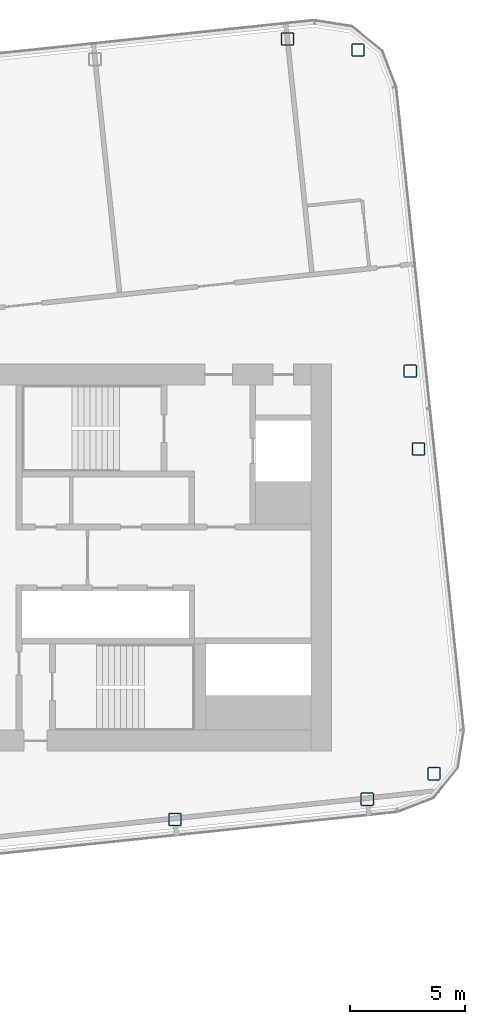
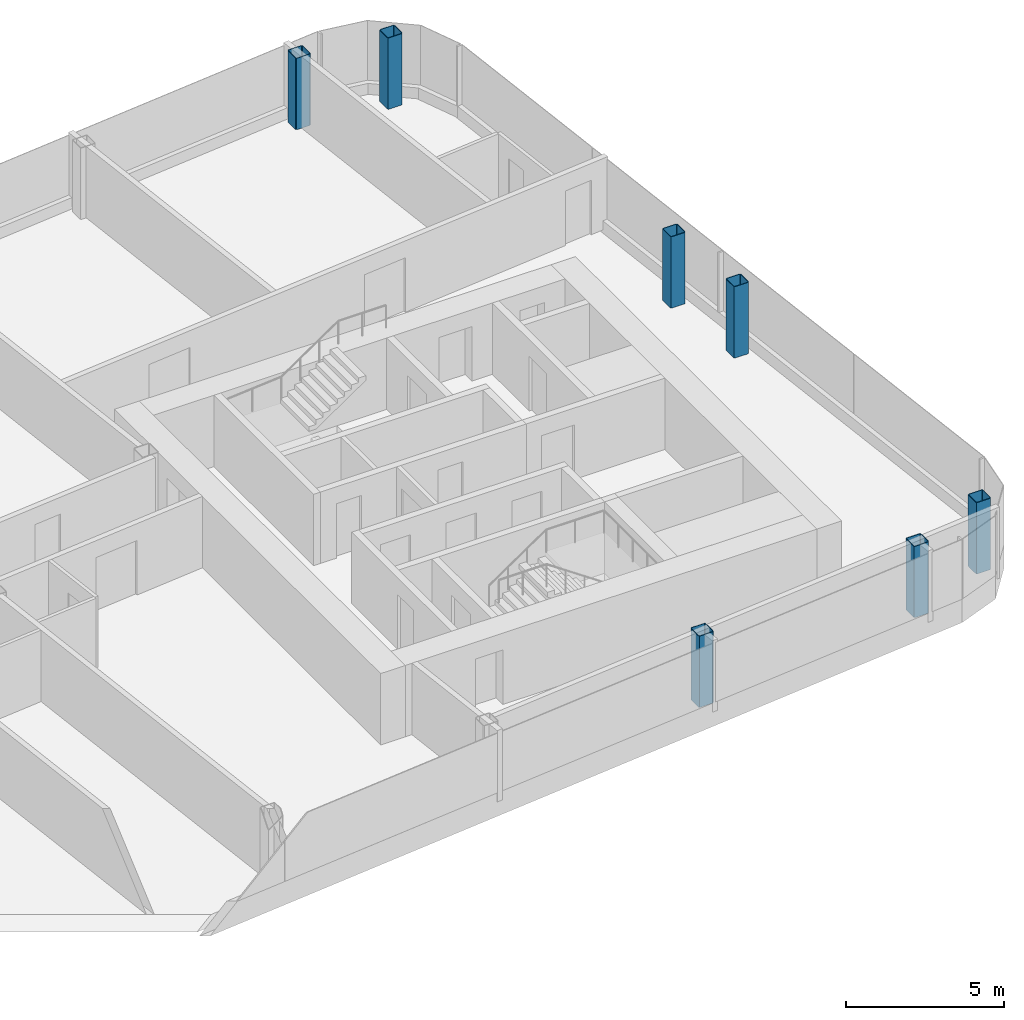
# One storey, part 2 of 27: 7 columns.
"""IFC4 building model written with IfcOpenShell, lengths in metres."""

from ifc_helpers import new_model, si_unit, direction, frame, origin, origin_2d, place, context, subcontext, project, spatial, hollow_rectangle, extrude, material, material_profile, profile_set, type_object, element, save


model = new_model("IFC4")

# Units and contexts
model_context = context("Model", 3, precision=1e-05, world=origin(), true_north=direction((0.0, 1.0)))
body_context = subcontext(model_context, "Body", "Model", "MODEL_VIEW")
ifc_project = project(units=[si_unit("LENGTHUNIT", "METRE"), si_unit("AREAUNIT", "SQUARE_METRE"), si_unit("VOLUMEUNIT", "CUBIC_METRE"), si_unit("PLANEANGLEUNIT", "RADIAN"), si_unit("MASSUNIT", "GRAM", prefix="KILO")], contexts=[model_context])

# Site, building, storey
site_placement = place(None, origin())
site = spatial("IfcSite", under=ifc_project, at=site_placement, CompositionType="ELEMENT")
building_placement = place(site_placement, origin())
building = spatial("IfcBuilding", under=site, at=building_placement, Name="Hakoniwa Tower and Hamabe Station Hall", CompositionType="ELEMENT")
storey_placement = place(building_placement, frame((0.0, 0.0, 248.60009765625)))
storey = spatial("IfcBuildingStorey", under=building, at=storey_placement, Name="L70", CompositionType="ELEMENT", Elevation=248.60009765625)

# Columns
ifc_material = material(Name="Steel BCP325", Category="steel")
ifc_material_profile = material_profile(ifc_material, hollow_rectangle(XDim=0.550048828125, YDim=0.550048828125, WallThickness=0.02197265625, InnerFilletRadius=0.032958984375, OuterFilletRadius=0.054931640625, at=origin_2d()), Name="BCP-550x550x22")
ifc_profile_set = profile_set([ifc_material_profile], Name="Steel BCP325")
column_type = type_object("IfcColumnType", Name="COLUMN BCP-550x550x22", PredefinedType="COLUMN", material=ifc_profile_set)
for number, where, z_axis, x_axis, name in (
    (1, (26.797119140625, -11.375, 0.0), (0.0, 0.0, 1.0), (1.0, 0.0, 0.0), "Column B5-10-A5"),
    (2, (35.151123046875, -10.496826171875, 0.0), (0.0, 0.0, 1.0), (1.0, 0.0, 0.0), "Column B5-11-A5"),
    (3, (31.680908203125, 22.521240234375, 0.0), (0.0, 0.0, 1.0), (1.0, 0.0, 0.0), "Column B5-11-F5"),
    (4, (38.054443359375, -9.390380859375, 0.0), (0.0, 0.0, 1.0), (1.0, 0.0, 0.0), "Column B5-EE-A5"),
    (5, (37.372802734375, 4.71875, 0.0), (0.0, 0.0, 1.0), (1.0, 0.0, 0.0), "Column B5-EE-C5"),
    (6, (37.017333984375, 8.10009765625, 0.0), (0.0, 0.0, 1.0), (1.0, 0.0, 0.0), "Column B5-EE-D5"),
    (7, (34.750732421875, 22.04248046875, 0.0), (0.0, 0.0, 1.0), (1.0, 0.0, 0.0), "Column B5-EE-F5"),
):
    element("IfcColumn", number, at=place(storey_placement, frame(where, z_axis=z_axis, x_axis=x_axis)), inside=storey, type_object=column_type, Name=name, PredefinedType="COLUMN", context=body_context, shape_type="SweptSolid", body=[
        extrude(hollow_rectangle(XDim=0.550048828125, YDim=0.550048828125, WallThickness=0.02197265625, InnerFilletRadius=0.032958984375, OuterFilletRadius=0.054931640625, at=origin_2d()), origin(), (0.0, 0.0, 1.0), 2.75),
    ])

save(model, "model.ifc")
